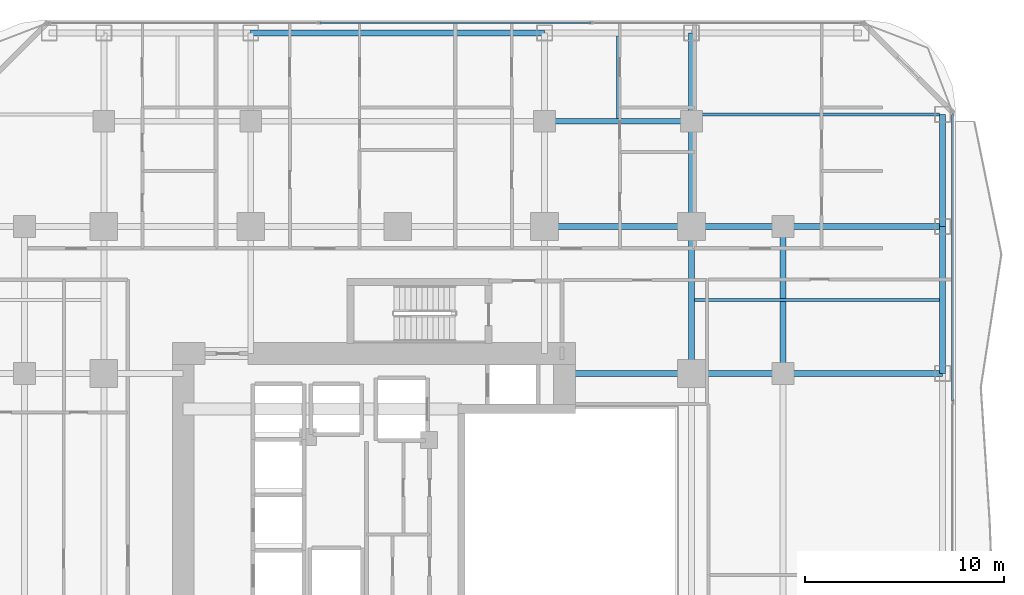
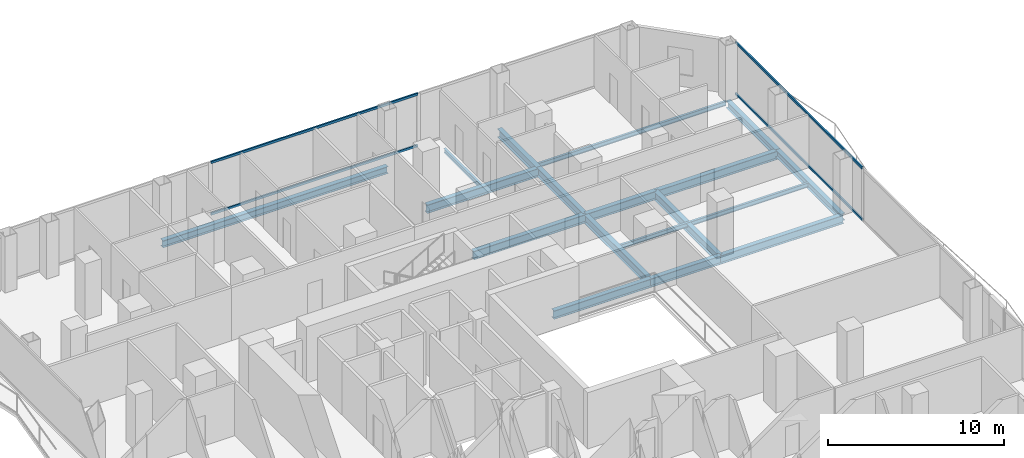
# One storey, part 17 of 27: 17 beams, 4 members, 2 elements without a shape of their own.
"""IFC4 building model written with IfcOpenShell, lengths in metres."""

from ifc_helpers import new_model, si_unit, direction, frame, origin, origin_2d, place, context, subcontext, project, spatial, hollow_rectangle, i_section, extrude, material, layer, layer_set, material_profile, profile_set, type_object, element, aggregate, save


model = new_model("IFC4")

# Units and contexts
model_context = context("Model", 3, precision=1e-05, world=origin(), true_north=direction((0.0, 1.0)))
body_context = subcontext(model_context, "Body", "Model", "MODEL_VIEW")
ifc_project = project(units=[si_unit("LENGTHUNIT", "METRE"), si_unit("AREAUNIT", "SQUARE_METRE"), si_unit("VOLUMEUNIT", "CUBIC_METRE"), si_unit("PLANEANGLEUNIT", "RADIAN"), si_unit("MASSUNIT", "GRAM", prefix="KILO")], contexts=[model_context])

# Site, building, storey
site_placement = place(None, origin())
site = spatial("IfcSite", under=ifc_project, at=site_placement, CompositionType="ELEMENT")
building_placement = place(site_placement, origin())
building = spatial("IfcBuilding", under=site, at=building_placement, Name="Khorvyn Point Tower", CompositionType="ELEMENT")
storey_placement = place(building_placement, frame((0.0, 0.0, 46.199951171875)))
storey = spatial("IfcBuildingStorey", under=building, at=storey_placement, Name="L12", CompositionType="ELEMENT", Elevation=46.199951171875)

# Curtain wall, members
ifc_material_1 = material(Name="Anodised aluminium 6063-T6 and laminated Low-E glass", Category="aluminium")
ifc_layer = layer(ifc_material_1, 0.18994140625)
ifc_layer_set = layer_set([ifc_layer], Name="Stick-Built Finned Residential Curtain Wall CW-SYS-02")
curtain_wall_type = type_object("IfcCurtainWallType", Name="Stick-Built Finned Residential Curtain Wall CW-SYS-02", PredefinedType="NOTDEFINED", material=ifc_layer_set)
curtain_wall_1_placement = place(storey_placement, origin())
curtain_wall_1 = element("IfcCurtainWall", 1, at=curtain_wall_1_placement, inside=storey, type_object=curtain_wall_type, Name="Curtain Wall", PredefinedType="NOTDEFINED")
ifc_material_2 = material(Name="Anodised aluminium 6063-T6", Category="aluminium")
ifc_material_profile_1 = material_profile(ifc_material_2, hollow_rectangle(XDim=0.10009765625, YDim=0.159912109375, WallThickness=0.00439453125, at=origin_2d()))
ifc_profile_set_1 = profile_set([ifc_material_profile_1], Name="Anodised aluminium 6063-T6 ALU-TRN-100x160")
member_type = type_object("IfcMemberType", Name="Anodised Aluminium 6063-T6 Transom ALU-TRN-100x160", PredefinedType="USERDEFINED", material=ifc_profile_set_1)
member_1_placement = place(storey_placement, frame((-3.89990234375, 25.050048828125, 0.050048828125), z_axis=(1.0, 0.0, 0.0), x_axis=(0.0, 1.0, 0.0)))
member_1 = element("IfcMember", 2, at=member_1_placement, type_object=member_type, Name="Transom", ObjectType="TRANSOM", PredefinedType="USERDEFINED", context=body_context, shape_type="SweptSolid", body=[
    extrude(hollow_rectangle(XDim=0.10009765625, YDim=0.159912109375, WallThickness=0.00439453125, at=origin_2d()), origin(), (0.0, 0.0, 1.0), 13.599853515625),
])
member_2_placement = place(storey_placement, frame((-3.89990234375, 25.050048828125, 3.630126953125), z_axis=(1.0, 0.0, 0.0), x_axis=(0.0, 1.0, 0.0)))
member_2 = element("IfcMember", 3, at=member_2_placement, type_object=member_type, Name="Transom", ObjectType="TRANSOM", PredefinedType="USERDEFINED", context=body_context, shape_type="SweptSolid", body=[
    extrude(hollow_rectangle(XDim=0.10009765625, YDim=0.159912109375, WallThickness=0.00439453125, at=origin_2d()), origin(), (0.0, 0.0, 1.0), 13.599853515625),
])
aggregate(curtain_wall_1, [member_1, member_2])

curtain_wall_2_placement = place(storey_placement, origin())
curtain_wall_2 = element("IfcCurtainWall", 4, at=curtain_wall_2_placement, inside=storey, type_object=curtain_wall_type, Name="Curtain Wall", PredefinedType="NOTDEFINED")
member_3_placement = place(storey_placement, frame((27.949951171875, 20.449951171875, 0.050048828125), z_axis=(0.0, -1.0, 0.0), x_axis=(1.0, 0.0, 0.0)))
member_3 = element("IfcMember", 5, at=member_3_placement, type_object=member_type, Name="Transom", ObjectType="TRANSOM", PredefinedType="USERDEFINED", context=body_context, shape_type="SweptSolid", body=[
    extrude(hollow_rectangle(XDim=0.10009765625, YDim=0.159912109375, WallThickness=0.00439453125, at=origin_2d()), origin(), (0.0, 0.0, 1.0), 14.448486328125),
])
member_4_placement = place(storey_placement, frame((27.949951171875, 20.449951171875, 3.630126953125), z_axis=(0.0, -1.0, 0.0), x_axis=(1.0, 0.0, 0.0)))
member_4 = element("IfcMember", 6, at=member_4_placement, type_object=member_type, Name="Transom", ObjectType="TRANSOM", PredefinedType="USERDEFINED", context=body_context, shape_type="SweptSolid", body=[
    extrude(hollow_rectangle(XDim=0.10009765625, YDim=0.159912109375, WallThickness=0.00439453125, at=origin_2d()), origin(), (0.0, 0.0, 1.0), 14.448486328125),
])
aggregate(curtain_wall_2, [member_3, member_4])

# Beams
ifc_material_3 = material(Name="Steel S355", Category="steel")
ifc_material_profile_2 = material_profile(ifc_material_3, i_section(OverallWidth=0.300048828125, OverallDepth=0.587890625, WebThickness=0.011962890625, FlangeThickness=0.02001953125, at=origin_2d()))
ifc_profile_set_2 = profile_set([ifc_material_profile_2], Name="Steel S355 H588x300x12x20")
beam_type_1 = type_object("IfcBeamType", Name="Steel S355 Beam H588x300x12x20", PredefinedType="BEAM", material=ifc_profile_set_2)
beam_1_placement = place(storey_placement, frame((7.39990234375, 14.800048828125, -0.513916015625), z_axis=(1.0, 0.0, 0.0), x_axis=(0.0, 1.0, 0.0)))
element("IfcBeam", 7, at=beam_1_placement, inside=storey, type_object=beam_type_1, Name="Beam", PredefinedType="BEAM", context=body_context, shape_type="SweptSolid", body=[
    extrude(i_section(OverallWidth=0.300048828125, OverallDepth=0.587890625, WebThickness=0.011962890625, FlangeThickness=0.02001953125, at=origin_2d()), origin(), (0.0, 0.0, 1.0), 7.400146484375),
])
beam_2_placement = place(storey_placement, frame((14.800048828125, 14.800048828125, -0.513916015625), z_axis=(1.0, 0.0, 0.0), x_axis=(0.0, 1.0, 0.0)))
element("IfcBeam", 8, at=beam_2_placement, inside=storey, type_object=beam_type_1, Name="Beam", PredefinedType="BEAM", context=body_context, shape_type="SweptSolid", body=[
    extrude(i_section(OverallWidth=0.300048828125, OverallDepth=0.587890625, WebThickness=0.011962890625, FlangeThickness=0.02001953125, at=origin_2d()), origin(), (0.0, 0.0, 1.0), 4.599853515625),
])
beam_3_placement = place(storey_placement, frame((19.39990234375, 14.800048828125, -0.513916015625), z_axis=(1.0, 0.0, 0.0), x_axis=(0.0, 1.0, 0.0)))
element("IfcBeam", 9, at=beam_3_placement, inside=storey, type_object=beam_type_1, Name="Beam", PredefinedType="BEAM", context=body_context, shape_type="SweptSolid", body=[
    extrude(i_section(OverallWidth=0.300048828125, OverallDepth=0.587890625, WebThickness=0.011962890625, FlangeThickness=0.02001953125, at=origin_2d()), origin(), (0.0, 0.0, 1.0), 8.050048828125),
])
beam_4_placement = place(storey_placement, frame((8.39990234375, 7.39990234375, -0.513916015625), z_axis=(1.0, 0.0, 0.0), x_axis=(0.0, 1.0, 0.0)))
element("IfcBeam", 10, at=beam_4_placement, inside=storey, type_object=beam_type_1, Name="Beam", PredefinedType="BEAM", context=body_context, shape_type="SweptSolid", body=[
    extrude(i_section(OverallWidth=0.300048828125, OverallDepth=0.587890625, WebThickness=0.011962890625, FlangeThickness=0.02001953125, at=origin_2d()), origin(), (0.0, 0.0, 1.0), 6.400146484375),
])
beam_5_placement = place(storey_placement, frame((14.800048828125, 7.39990234375, -0.513916015625), z_axis=(1.0, 0.0, 0.0), x_axis=(0.0, 1.0, 0.0)))
element("IfcBeam", 11, at=beam_5_placement, inside=storey, type_object=beam_type_1, Name="Beam", PredefinedType="BEAM", context=body_context, shape_type="SweptSolid", body=[
    extrude(i_section(OverallWidth=0.300048828125, OverallDepth=0.587890625, WebThickness=0.011962890625, FlangeThickness=0.02001953125, at=origin_2d()), origin(), (0.0, 0.0, 1.0), 4.599853515625),
])
beam_6_placement = place(storey_placement, frame((19.39990234375, 7.39990234375, -0.513916015625), z_axis=(1.0, 0.0, 0.0), x_axis=(0.0, 1.0, 0.0)))
element("IfcBeam", 12, at=beam_6_placement, inside=storey, type_object=beam_type_1, Name="Beam", PredefinedType="BEAM", context=body_context, shape_type="SweptSolid", body=[
    extrude(i_section(OverallWidth=0.300048828125, OverallDepth=0.587890625, WebThickness=0.011962890625, FlangeThickness=0.02001953125, at=origin_2d()), origin(), (0.0, 0.0, 1.0), 8.050048828125),
])
for number, where, z_axis, x_axis, name in (
    (13, (7.39990234375, 20.10009765625, -0.513916015625), (1.0, 0.0, 0.0), (0.0, 1.0, 0.0), "Beam"),
    (14, (14.800048828125, 7.39990234375, -0.513916015625), (0.0, 1.0, 0.0), (-1.0, 0.0, 0.0), "Beam"),
):
    element("IfcBeam", number, at=place(storey_placement, frame(where, z_axis=z_axis, x_axis=x_axis)), inside=storey, type_object=beam_type_1, Name=name, PredefinedType="BEAM", context=body_context, shape_type="SweptSolid", body=[
        extrude(i_section(OverallWidth=0.300048828125, OverallDepth=0.587890625, WebThickness=0.011962890625, FlangeThickness=0.02001953125, at=origin_2d()), origin(), (0.0, 0.0, 1.0), 7.400146484375),
    ])
beam_7_placement = place(storey_placement, frame((14.800048828125, 14.800048828125, -0.513916015625), z_axis=(0.0, 1.0, 0.0), x_axis=(-1.0, 0.0, 0.0)))
element("IfcBeam", 15, at=beam_7_placement, inside=storey, type_object=beam_type_1, Name="Beam", PredefinedType="BEAM", context=body_context, shape_type="SweptSolid", body=[
    extrude(i_section(OverallWidth=0.300048828125, OverallDepth=0.587890625, WebThickness=0.011962890625, FlangeThickness=0.02001953125, at=origin_2d()), origin(), (0.0, 0.0, 1.0), 5.300048828125),
])
beam_8_placement = place(storey_placement, frame((14.800048828125, 20.10009765625, -0.513916015625), z_axis=(0.0, 1.0, 0.0), x_axis=(-1.0, 0.0, 0.0)))
element("IfcBeam", 16, at=beam_8_placement, inside=storey, type_object=beam_type_1, Name="Beam", PredefinedType="BEAM", context=body_context, shape_type="SweptSolid", body=[
    extrude(i_section(OverallWidth=0.300048828125, OverallDepth=0.587890625, WebThickness=0.011962890625, FlangeThickness=0.02001953125, at=origin_2d()), origin(), (0.0, 0.0, 1.0), 4.449951171875),
])
beam_9_placement = place(storey_placement, frame((19.39990234375, 7.39990234375, -0.513916015625), z_axis=(0.0, 1.0, 0.0), x_axis=(-1.0, 0.0, 0.0)))
element("IfcBeam", 17, at=beam_9_placement, inside=storey, type_object=beam_type_1, Name="Beam", PredefinedType="BEAM", context=body_context, shape_type="SweptSolid", body=[
    extrude(i_section(OverallWidth=0.300048828125, OverallDepth=0.587890625, WebThickness=0.011962890625, FlangeThickness=0.02001953125, at=origin_2d()), origin(), (0.0, 0.0, 1.0), 7.400146484375),
])
ifc_material_profile_3 = material_profile(ifc_material_3, i_section(OverallWidth=0.14990234375, OverallDepth=0.300048828125, WebThickness=0.006591796875, FlangeThickness=0.009033203125, at=origin_2d()))
ifc_profile_set_3 = profile_set([ifc_material_profile_3], Name="Steel S355 H300x150x6.5x9")
beam_type_2 = type_object("IfcBeamType", Name="Steel S355 Joist H300x150x6.5x9", PredefinedType="JOIST", material=ifc_profile_set_3)
beam_10_placement = place(storey_placement, frame((14.949951171875, 11.10009765625, -0.369873046875), z_axis=(1.0, 0.0, 0.0), x_axis=(0.0, 1.0, 0.0)))
element("IfcBeam", 18, at=beam_10_placement, inside=storey, type_object=beam_type_2, Name="Beam", PredefinedType="JOIST", context=body_context, shape_type="SweptSolid", body=[
    extrude(i_section(OverallWidth=0.14990234375, OverallDepth=0.300048828125, WebThickness=0.006591796875, FlangeThickness=0.009033203125, at=origin_2d()), origin(), (0.0, 0.0, 1.0), 12.35009765625),
])
beam_11_placement = place(storey_placement, frame((11.10009765625, 20.25, -0.369873046875), z_axis=(0.0, 1.0, 0.0), x_axis=(-1.0, 0.0, 0.0)))
element("IfcBeam", 19, at=beam_11_placement, inside=storey, type_object=beam_type_2, Name="Beam", PredefinedType="JOIST", context=body_context, shape_type="SweptSolid", body=[
    extrude(i_section(OverallWidth=0.14990234375, OverallDepth=0.300048828125, WebThickness=0.006591796875, FlangeThickness=0.009033203125, at=origin_2d()), origin(), (0.0, 0.0, 1.0), 4.14990234375),
])
beam_12_placement = place(storey_placement, frame((14.949951171875, 20.449951171875, -0.369873046875), z_axis=(1.0, 0.0, 0.0), x_axis=(0.0, 1.0, 0.0)))
element("IfcBeam", 20, at=beam_12_placement, inside=storey, type_object=beam_type_2, Name="Beam", PredefinedType="JOIST", context=body_context, shape_type="SweptSolid", body=[
    extrude(i_section(OverallWidth=0.14990234375, OverallDepth=0.300048828125, WebThickness=0.006591796875, FlangeThickness=0.009033203125, at=origin_2d()), origin(), (0.0, 0.0, 1.0), 12.35009765625),
])
ifc_material_profile_4 = material_profile(ifc_material_3, i_section(OverallWidth=0.300048828125, OverallDepth=0.488037109375, WebThickness=0.010986328125, FlangeThickness=0.01806640625, at=origin_2d()))
ifc_profile_set_4 = profile_set([ifc_material_profile_4], Name="Steel S355 H488x300x11x18")
beam_type_3 = type_object("IfcBeamType", Name="Steel S355 Spandrel H488x300x11x18", PredefinedType="SPANDREL", material=ifc_profile_set_4)
beam_13_placement = place(storey_placement, frame((-7.39990234375, 24.550048828125, -0.4638671875), z_axis=(1.0, 0.0, 0.0), x_axis=(0.0, 1.0, 0.0)))
element("IfcBeam", 21, at=beam_13_placement, inside=storey, type_object=beam_type_3, Name="Beam", PredefinedType="SPANDREL", context=body_context, shape_type="SweptSolid", body=[
    extrude(i_section(OverallWidth=0.300048828125, OverallDepth=0.488037109375, WebThickness=0.010986328125, FlangeThickness=0.01806640625, at=origin_2d()), origin(), (0.0, 0.0, 1.0), 14.7998046875),
])
beam_14_placement = place(storey_placement, frame((27.449951171875, 7.39990234375, -0.4638671875), z_axis=(0.0, 1.0, 0.0), x_axis=(-1.0, 0.0, 0.0)))
element("IfcBeam", 22, at=beam_14_placement, inside=storey, type_object=beam_type_3, Name="Beam", PredefinedType="SPANDREL", context=body_context, shape_type="SweptSolid", body=[
    extrude(i_section(OverallWidth=0.300048828125, OverallDepth=0.488037109375, WebThickness=0.010986328125, FlangeThickness=0.01806640625, at=origin_2d()), origin(), (0.0, 0.0, 1.0), 7.400146484375),
])
beam_15_placement = place(storey_placement, frame((27.449951171875, 14.800048828125, -0.4638671875), z_axis=(0.0, 1.0, 0.0), x_axis=(-1.0, 0.0, 0.0)))
element("IfcBeam", 23, at=beam_15_placement, inside=storey, type_object=beam_type_3, Name="Beam", PredefinedType="SPANDREL", context=body_context, shape_type="SweptSolid", body=[
    extrude(i_section(OverallWidth=0.300048828125, OverallDepth=0.488037109375, WebThickness=0.010986328125, FlangeThickness=0.01806640625, at=origin_2d()), origin(), (0.0, 0.0, 1.0), 5.64990234375),
])

save(model, "model.ifc")
